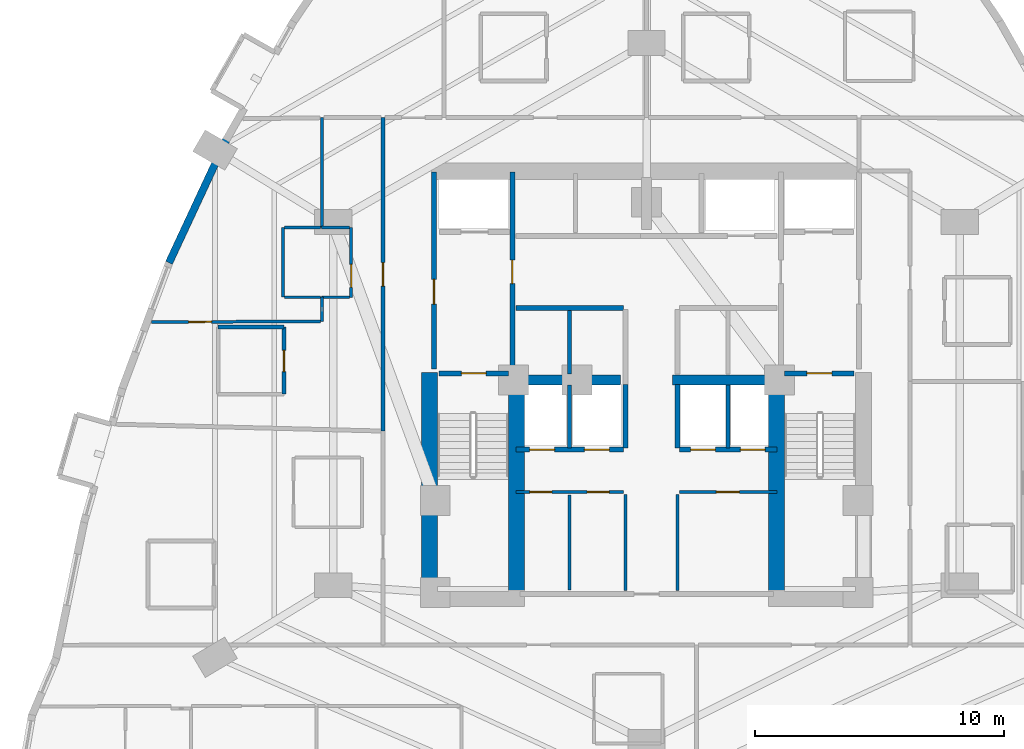
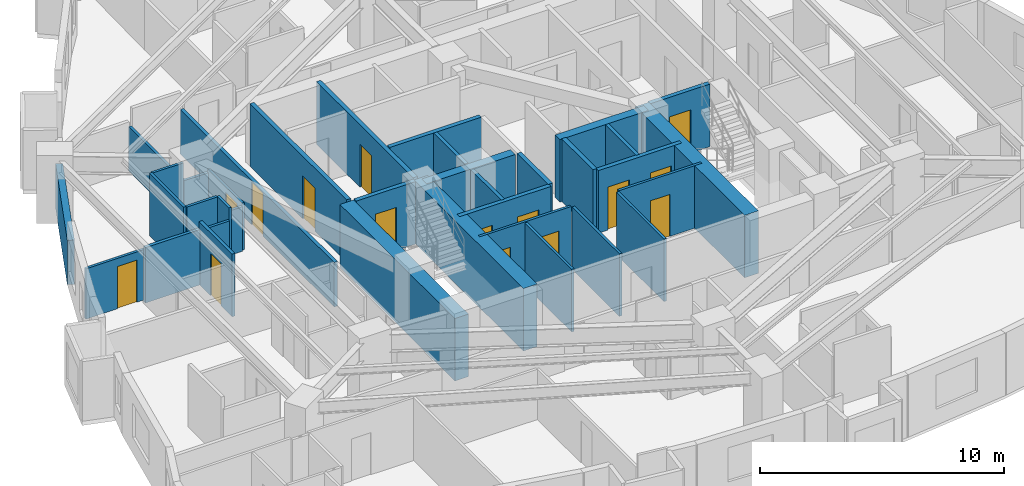
# One storey, part 10 of 15: 35 walls, 15 doors, 15 openings.
"""IFC4 building model written with IfcOpenShell, lengths in metres."""

from ifc_helpers import new_model, si_unit, direction, frame, frame_2d, origin, place, context, subcontext, project, spatial, rectangle, extrude, material, layer, layer_set, type_object, element, fill, save


model = new_model("IFC4")

# Units and contexts
model_context = context("Model", 3, precision=1e-05, world=origin(), true_north=direction((0.0, 1.0)))
body_context = subcontext(model_context, "Body", "Model", "MODEL_VIEW")
ifc_project = project(units=[si_unit("LENGTHUNIT", "METRE"), si_unit("AREAUNIT", "SQUARE_METRE"), si_unit("VOLUMEUNIT", "CUBIC_METRE"), si_unit("PLANEANGLEUNIT", "RADIAN"), si_unit("MASSUNIT", "GRAM", prefix="KILO")], contexts=[model_context])

# Site, building, storey
site_placement = place(None, origin())
site = spatial("IfcSite", under=ifc_project, at=site_placement, CompositionType="ELEMENT")
building_placement = place(site_placement, origin())
building = spatial("IfcBuilding", under=site, at=building_placement, Name="Miruveldt Soraemaru", CompositionType="ELEMENT")
storey_placement = place(building_placement, frame((0.0, 0.0, 36.0)))
storey = spatial("IfcBuildingStorey", under=building, at=storey_placement, Name="L09", CompositionType="ELEMENT", Elevation=36.0)

# Walls
ifc_material_1 = material(Name="Concrete C70/85 (70 MPa)", Category="concrete")
ifc_layer_1 = layer(ifc_material_1, 0.5, Name="Concrete C70/85 (70 MPa)", Category="concrete")
ifc_layer_set_1 = layer_set([ifc_layer_1], Name="Concrete C70/85 (70 MPa)")
wall_type_1 = type_object("IfcWallType", Name="WALL-BW-500", PredefinedType="SHEAR", material=ifc_layer_set_1)
for number, where, z_axis, x_axis, name in (
    (1, (38.75, 44.050048828125, 0.0), (0.0, 0.0, 1.0), (1.0, 0.0, 0.0), "L09 Core Buttress Shear Wall BW"),
    (2, (45.050048828125, 44.050048828125, 0.0), (0.0, 0.0, 1.0), (1.0, 0.0, 0.0), "L09 Core Buttress Shear Wall BE"),
):
    element("IfcWall", number, at=place(storey_placement, frame(where, z_axis=z_axis, x_axis=x_axis)), inside=storey, type_object=wall_type_1, Name=name, PredefinedType="SHEAR", context=body_context, shape_type="SweptSolid", body=[
        extrude(rectangle(XDim=4.199951171875, YDim=0.39990234375, at=frame_2d((2.10009765625, 0.0))), origin(), (0.0, 0.0, 1.0), 3.125),
    ])
ifc_material_2 = material(Name="Concrete C80/95 (80 MPa)", Category="concrete")
ifc_layer_2 = layer(ifc_material_2, 0.64990234375, Name="Concrete C80/95 (80 MPa)", Category="concrete")
ifc_layer_set_2 = layer_set([ifc_layer_2], Name="Concrete C80/95 (80 MPa)")
wall_type_2 = type_object("IfcWallType", Name="WALL-CW-650", PredefinedType="SHEAR", material=ifc_layer_set_2)
wall_1_placement = place(storey_placement, frame((35.27490234375, 34.949951171875, 0.0), z_axis=(0.0, 0.0, 1.0), x_axis=(0.0, 1.0, 0.0)))
element("IfcWall", 3, at=wall_1_placement, inside=storey, type_object=wall_type_2, Name="L09 Central Core Shear Wall W1", PredefinedType="SHEAR", context=body_context, shape_type="SweptSolid", body=[
    extrude(rectangle(XDim=9.400146484375, YDim=0.64990234375, at=frame_2d((4.7001953125, 0.0))), origin(), (0.0, 0.0, 1.0), 3.125),
])
for number, where, z_axis, x_axis, name in (
    (4, (38.77490234375, 35.39990234375, 0.0), (0.0, 0.0, 1.0), (0.0, 1.0, 0.0), "L09 Central Core Shear Wall SW-INT"),
    (5, (49.22509765625, 35.39990234375, 0.0), (0.0, 0.0, 1.0), (0.0, 1.0, 0.0), "L09 Central Core Shear Wall SE-INT"),
):
    element("IfcWall", number, at=place(storey_placement, frame(where, z_axis=z_axis, x_axis=x_axis)), inside=storey, type_object=wall_type_2, Name=name, PredefinedType="SHEAR", context=body_context, shape_type="SweptSolid", body=[
        extrude(rectangle(XDim=8.9501953125, YDim=0.64990234375, at=frame_2d((4.47509765625, 0.0))), origin(), (0.0, 0.0, 1.0), 3.125),
    ])
ifc_material_3 = material(Name="Precast concrete C45/55 (45 MPa)", Category="concrete")
ifc_layer_3 = layer(ifc_material_3, 0.300048828125, Name="Precast concrete C45/55 (45 MPa)", Category="concrete")
ifc_layer_set_3 = layer_set([ifc_layer_3], Name="Precast concrete C45/55 (45 MPa)")
wall_type_3 = type_object("IfcWallType", Name="WALL-EXT-PC300", PredefinedType="SOLIDWALL", material=ifc_layer_set_3)
wall_2_placement = place(storey_placement, frame((27.116455078125, 53.75390625, 0.0), z_axis=(0.0, 0.0, 1.0), x_axis=(-0.422309467153, -0.906451716284, 0.0)))
element("IfcWall", 6, at=wall_2_placement, inside=storey, type_object=wall_type_3, Name="L09 Precast Concrete Facade Wall 11", PredefinedType="SOLIDWALL", context=body_context, shape_type="SweptSolid", body=[
    extrude(rectangle(XDim=5.500244140625, YDim=0.300048828125, at=frame_2d((2.75, 0.0))), origin(), (0.0, 0.0, 1.0), 2.212890625),
])

# Wall, opening, door
ifc_material_4 = material(Name="Gypsum plasterboard lining", Category="gypsum")
ifc_layer_4 = layer(ifc_material_4, 0.1201171875, Name="Gypsum plasterboard lining", Category="gypsum")
ifc_layer_set_4 = layer_set([ifc_layer_4], Name="Gypsum plasterboard lining")
wall_type_4 = type_object("IfcWallType", Name="WALL-INT-P120", PredefinedType="PARTITIONING", material=ifc_layer_set_4)
wall_3_placement = place(storey_placement, frame((30.889892578125, 46.409912109375, 0.0), z_axis=(0.0, 0.0, 1.0), x_axis=(-0.999990269006, -0.004411563541, 0.0)))
wall_3 = element("IfcWall", 7, at=wall_3_placement, inside=storey, type_object=wall_type_4, Name="L09 Partition Wall 50", PredefinedType="PARTITIONING", context=body_context, shape_type="SweptSolid", body=[
    extrude(rectangle(XDim=6.806884765625, YDim=0.1201171875, at=frame_2d((3.4033203125, 0.0))), origin(), (0.0, 0.0, 1.0), 2.512939453125),
])
opening_1_placement = place(wall_3_placement, frame((4.384033203125, 0.0, 0.0)))
opening_1 = element("IfcOpeningElement", 8, at=opening_1_placement, cuts=wall_3, Name="Opening D3A", PredefinedType="OPENING", context=body_context, shape_type="SweptSolid", body=[
    extrude(rectangle(XDim=0.919921875, YDim=2.10009765625, at=frame_2d((0.4599609375, 1.050048828125))), frame((0.0, 0.070068359375, 0.0), z_axis=(0.0, -1.0, 0.0), x_axis=(1.0, 0.0, 0.0)), (0.0, 0.0, 1.0), 0.14013671875),
])
ifc_material_5 = material(Name="Anodised aluminium EN AW-6063 T6", Category="aluminium")
door_type_1 = type_object("IfcDoorType", Name="DOOR-INT-920", OperationType="NOTDEFINED", PredefinedType="DOOR", material=ifc_material_5)
door_1_placement = place(opening_1_placement, origin())
door_1 = element("IfcDoor", 9, at=door_1_placement, inside=storey, type_object=door_type_1, Name="L09 Unit 0904 BD1 Door", OperationType="SINGLE_SWING_LEFT", OverallHeight=2.10009765625, OverallWidth=0.919921875, PredefinedType="DOOR", context=body_context, shape_type="SweptSolid", body=[
    extrude(rectangle(XDim=0.919921875, YDim=2.10009765625, at=frame_2d((0.4599609375, 1.050048828125))), frame((0.0, 0.02490234375, 0.0), z_axis=(0.0, -1.0, 0.0), x_axis=(1.0, 0.0, 0.0)), (0.0, 0.0, 1.0), 0.050048828125),
])
fill(opening_1, door_1)

# Wall, openings, doors
wall_4_placement = place(storey_placement, frame((38.75, 39.550048828125, 0.0), z_axis=(0.0, 0.0, 1.0), x_axis=(1.0, 0.0, 0.0)))
wall_4 = element("IfcWall", 10, at=wall_4_placement, inside=storey, type_object=wall_type_4, Name="L09 Core Compartment Wall CSW-N", PredefinedType="PARTITIONING", context=body_context, shape_type="SweptSolid", body=[
    extrude(rectangle(XDim=4.330078125, YDim=0.1201171875, at=frame_2d((2.1650390625, 0.0))), origin(), (0.0, 0.0, 1.0), 3.125),
])
opening_2_placement = place(wall_4_placement, frame((0.56005859375, 0.0, 0.0)))
opening_2 = element("IfcOpeningElement", 11, at=opening_2_placement, cuts=wall_4, Name="Opening D4", PredefinedType="OPENING", context=body_context, shape_type="SweptSolid", body=[
    extrude(rectangle(XDim=0.8798828125, YDim=2.10009765625, at=frame_2d((0.43994140625, 1.050048828125))), frame((0.0, 0.070068359375, 0.0), z_axis=(0.0, -1.0, 0.0), x_axis=(1.0, 0.0, 0.0)), (0.0, 0.0, 1.0), 0.14013671875),
])
opening_3_placement = place(wall_4_placement, frame((2.860107421875, 0.0, 0.0)))
opening_3 = element("IfcOpeningElement", 12, at=opening_3_placement, cuts=wall_4, Name="Opening D4", PredefinedType="OPENING", context=body_context, shape_type="SweptSolid", body=[
    extrude(rectangle(XDim=0.8798828125, YDim=2.10009765625, at=frame_2d((0.43994140625, 1.050048828125))), frame((0.0, 0.070068359375, 0.0), z_axis=(0.0, -1.0, 0.0), x_axis=(1.0, 0.0, 0.0)), (0.0, 0.0, 1.0), 0.14013671875),
])
door_type_2 = type_object("IfcDoorType", Name="DOOR-INT-880", OperationType="NOTDEFINED", PredefinedType="DOOR", material=ifc_material_5)
door_2_placement = place(opening_2_placement, origin())
door_2 = element("IfcDoor", 13, at=door_2_placement, inside=storey, type_object=door_type_2, Name="L09 Fire Door", OperationType="SINGLE_SWING_LEFT", OverallHeight=2.10009765625, OverallWidth=0.8798828125, PredefinedType="DOOR", context=body_context, shape_type="SweptSolid", body=[
    extrude(rectangle(XDim=0.8798828125, YDim=2.10009765625, at=frame_2d((0.43994140625, 1.050048828125))), frame((0.0, 0.02490234375, 0.0), z_axis=(0.0, -1.0, 0.0), x_axis=(1.0, 0.0, 0.0)), (0.0, 0.0, 1.0), 0.050048828125),
])
fill(opening_2, door_2)
door_3_placement = place(opening_3_placement, origin())
door_3 = element("IfcDoor", 14, at=door_3_placement, inside=storey, type_object=door_type_2, Name="L09 Fire Door", OperationType="SINGLE_SWING_LEFT", OverallHeight=2.10009765625, OverallWidth=0.8798828125, PredefinedType="DOOR", context=body_context, shape_type="SweptSolid", body=[
    extrude(rectangle(XDim=0.8798828125, YDim=2.10009765625, at=frame_2d((0.43994140625, 1.050048828125))), frame((0.0, 0.02490234375, 0.0), z_axis=(0.0, -1.0, 0.0), x_axis=(1.0, 0.0, 0.0)), (0.0, 0.0, 1.0), 0.050048828125),
])
fill(opening_3, door_3)

# Wall, opening, door
wall_5_placement = place(storey_placement, frame((45.320068359375, 39.550048828125, 0.0), z_axis=(0.0, 0.0, 1.0), x_axis=(1.0, 0.0, 0.0)))
wall_5 = element("IfcWall", 15, at=wall_5_placement, inside=storey, type_object=wall_type_4, Name="L09 Core Compartment Wall CSE-N", PredefinedType="PARTITIONING", context=body_context, shape_type="SweptSolid", body=[
    extrude(rectangle(XDim=3.929931640625, YDim=0.1201171875, at=frame_2d((1.96484375, 0.0))), origin(), (0.0, 0.0, 1.0), 3.125),
])
opening_4_placement = place(wall_5_placement, frame((1.489990234375, 0.0, 0.0)))
opening_4 = element("IfcOpeningElement", 16, at=opening_4_placement, cuts=wall_5, Name="Opening D3A", PredefinedType="OPENING", context=body_context, shape_type="SweptSolid", body=[
    extrude(rectangle(XDim=0.919921875, YDim=2.10009765625, at=frame_2d((0.4599609375, 1.050048828125))), frame((0.0, 0.070068359375, 0.0), z_axis=(0.0, -1.0, 0.0), x_axis=(1.0, 0.0, 0.0)), (0.0, 0.0, 1.0), 0.14013671875),
])
door_4_placement = place(opening_4_placement, origin())
door_4 = element("IfcDoor", 17, at=door_4_placement, inside=storey, type_object=door_type_1, Name="L09 Fire Door", OperationType="SINGLE_SWING_LEFT", OverallHeight=2.10009765625, OverallWidth=0.919921875, PredefinedType="DOOR", context=body_context, shape_type="SweptSolid", body=[
    extrude(rectangle(XDim=0.919921875, YDim=2.10009765625, at=frame_2d((0.4599609375, 1.050048828125))), frame((0.0, 0.02490234375, 0.0), z_axis=(0.0, -1.0, 0.0), x_axis=(1.0, 0.0, 0.0)), (0.0, 0.0, 1.0), 0.050048828125),
])
fill(opening_4, door_4)

wall_6_placement = place(storey_placement, frame((32.1220703125, 47.3798828125, 0.0), z_axis=(0.0, 0.0, 1.0), x_axis=(0.0, 1.0, 0.0)))
wall_6 = element("IfcWall", 18, at=wall_6_placement, inside=storey, type_object=wall_type_4, Name="L09 Partition Wall 45", PredefinedType="PARTITIONING", context=body_context, shape_type="SweptSolid", body=[
    extrude(rectangle(XDim=2.800048828125, YDim=0.1201171875, at=frame_2d((1.39990234375, 0.0))), origin(), (0.0, 0.0, 1.0), 2.363037109375),
])
opening_5_placement = place(wall_6_placement, frame((0.39990234375, 0.0, 0.0)))
opening_5 = element("IfcOpeningElement", 19, at=opening_5_placement, cuts=wall_6, Name="Opening D3A", PredefinedType="OPENING", context=body_context, shape_type="SweptSolid", body=[
    extrude(rectangle(XDim=0.919921875, YDim=2.10009765625, at=frame_2d((0.4599609375, 1.050048828125))), frame((0.0, 0.070068359375, 0.0), z_axis=(0.0, -1.0, 0.0), x_axis=(1.0, 0.0, 0.0)), (0.0, 0.0, 1.0), 0.14013671875),
])
door_5_placement = place(opening_5_placement, origin())
door_5 = element("IfcDoor", 20, at=door_5_placement, inside=storey, type_object=door_type_1, Name="L09 Unit 0904 KIT Door", OperationType="SINGLE_SWING_RIGHT", OverallHeight=2.10009765625, OverallWidth=0.919921875, PredefinedType="DOOR", context=body_context, shape_type="SweptSolid", body=[
    extrude(rectangle(XDim=0.919921875, YDim=2.10009765625, at=frame_2d((0.4599609375, 1.050048828125))), frame((0.0, 0.02490234375, 0.0), z_axis=(0.0, -1.0, 0.0), x_axis=(1.0, 0.0, 0.0)), (0.0, 0.0, 1.0), 0.050048828125),
])
fill(opening_5, door_5)

# Walls
wall_7_placement = place(storey_placement, frame((30.949951171875, 54.60009765625, 0.0), z_axis=(0.0, 0.0, 1.0), x_axis=(0.0, -1.0, 0.0)))
element("IfcWall", 21, at=wall_7_placement, inside=storey, type_object=wall_type_4, Name="L09 Partition Wall 48", PredefinedType="PARTITIONING", context=body_context, shape_type="SweptSolid", body=[
    extrude(rectangle(XDim=4.420166015625, YDim=0.1201171875, at=frame_2d((2.2099609375, 0.0))), origin(), (0.0, 0.0, 1.0), 2.219970703125),
])
for number, where, z_axis, x_axis, name in (
    (22, (43.14990234375, 35.580078125, 0.0), (0.0, 0.0, 1.0), (0.0, 1.0, 0.0), "L09 Core Compartment Wall SP-WS"),
    (23, (45.25, 35.580078125, 0.0), (0.0, 0.0, 1.0), (0.0, 1.0, 0.0), "L09 Core Compartment Wall SP-ES"),
):
    element("IfcWall", number, at=place(storey_placement, frame(where, z_axis=z_axis, x_axis=x_axis)), inside=storey, type_object=wall_type_4, Name=name, PredefinedType="PARTITIONING", context=body_context, shape_type="SweptSolid", body=[
        extrude(rectangle(XDim=3.869873046875, YDim=0.1201171875, at=frame_2d((1.93505859375, 0.0))), origin(), (0.0, 0.0, 1.0), 3.125),
    ])
wall_8_placement = place(storey_placement, frame((40.89990234375, 35.60009765625, 0.0), z_axis=(0.0, 0.0, 1.0), x_axis=(0.0, 1.0, 0.0)))
element("IfcWall", 24, at=wall_8_placement, inside=storey, type_object=wall_type_4, Name="L09 Core Compartment Wall CW1-V", PredefinedType="PARTITIONING", context=body_context, shape_type="SweptSolid", body=[
    extrude(rectangle(XDim=3.81982421875, YDim=0.1201171875, at=frame_2d((1.909912109375, 0.0))), origin(), (0.0, 0.0, 1.0), 3.125),
])
wall_9_placement = place(storey_placement, frame((29.3720703125, 50.179931640625, 0.0), z_axis=(0.0, 0.0, 1.0), x_axis=(0.0, -1.0, 0.0)))
element("IfcWall", 25, at=wall_9_placement, inside=storey, type_object=wall_type_4, Name="L09 Partition Wall 53", PredefinedType="PARTITIONING", context=body_context, shape_type="SweptSolid", body=[
    extrude(rectangle(XDim=2.800048828125, YDim=0.1201171875, at=frame_2d((1.39990234375, 0.0))), origin(), (0.0, 0.0, 1.0), 3.125),
])
for number, where, z_axis, x_axis, name in (
    (26, (30.889892578125, 50.179931640625, 0.0), (0.0, 0.0, 1.0), (-1.0, 0.0, 0.0), "L09 Partition Wall 52"),
    (27, (29.431884765625, 47.3798828125, 0.0), (0.0, 0.0, 1.0), (1.0, 0.0, 0.0), "L09 Partition Wall 54"),
):
    element("IfcWall", number, at=place(storey_placement, frame(where, z_axis=z_axis, x_axis=x_axis)), inside=storey, type_object=wall_type_4, Name=name, PredefinedType="PARTITIONING", context=body_context, shape_type="SweptSolid", body=[
        extrude(rectangle(XDim=1.4580078125, YDim=0.1201171875, at=frame_2d((0.72900390625, 0.0))), origin(), (0.0, 0.0, 1.0), 3.125),
    ])
for number, where, z_axis, x_axis, name in (
    (28, (32.06201171875, 50.179931640625, 0.0), (0.0, 0.0, 1.0), (-1.0, 0.0, 0.0), "L09 Partition Wall 46"),
    (29, (30.919921875, 47.3798828125, 0.0), (0.0, 0.0, 1.0), (1.0, 0.0, 0.0), "L09 Partition Wall 47"),
):
    element("IfcWall", number, at=place(storey_placement, frame(where, z_axis=z_axis, x_axis=x_axis)), inside=storey, type_object=wall_type_4, Name=name, PredefinedType="PARTITIONING", context=body_context, shape_type="SweptSolid", body=[
        extrude(rectangle(XDim=1.14208984375, YDim=0.1201171875, at=frame_2d((0.571044921875, 0.0))), origin(), (0.0, 0.0, 1.0), 2.219970703125),
    ])
wall_10_placement = place(storey_placement, frame((30.949951171875, 47.3798828125, 0.0), z_axis=(0.0, 0.0, 1.0), x_axis=(0.0, -1.0, 0.0)))
element("IfcWall", 30, at=wall_10_placement, inside=storey, type_object=wall_type_4, Name="L09 Partition Wall 49", PredefinedType="PARTITIONING", context=body_context, shape_type="SweptSolid", body=[
    extrude(rectangle(XDim=0.969970703125, YDim=0.1201171875, at=frame_2d((0.48486328125, 0.0))), origin(), (0.0, 0.0, 1.0), 3.125),
])

# Wall, opening, door
ifc_layer_5 = layer(ifc_material_4, 0.14990234375, Name="Gypsum plasterboard lining", Category="gypsum")
ifc_layer_set_5 = layer_set([ifc_layer_5], Name="Gypsum plasterboard lining")
wall_type_5 = type_object("IfcWallType", Name="WALL-INT-PLUMB", PredefinedType="PLUMBINGWALL", material=ifc_layer_set_5)
wall_11_placement = place(storey_placement, frame((29.422119140625, 43.47998046875, 0.0), z_axis=(0.0, 0.0, 1.0), x_axis=(0.0, 1.0, 0.0)))
wall_11 = element("IfcWall", 31, at=wall_11_placement, inside=storey, type_object=wall_type_5, Name="L09 Partition Wall 41", PredefinedType="PLUMBINGWALL", context=body_context, shape_type="SweptSolid", body=[
    extrude(rectangle(XDim=2.699951171875, YDim=0.14990234375, at=frame_2d((1.35009765625, 0.0))), origin(), (0.0, 0.0, 1.0), 3.125),
])
opening_6_placement = place(wall_11_placement, frame((0.909912109375, 0.0, 0.0)))
opening_6 = element("IfcOpeningElement", 32, at=opening_6_placement, cuts=wall_11, Name="Opening FD3", PredefinedType="OPENING", context=body_context, shape_type="SweptSolid", body=[
    extrude(rectangle(XDim=0.85009765625, YDim=2.10009765625, at=frame_2d((0.425048828125, 1.050048828125))), frame((0.0, 0.0849609375, 0.0), z_axis=(0.0, -1.0, 0.0), x_axis=(1.0, 0.0, 0.0)), (0.0, 0.0, 1.0), 0.169921875),
])
door_type_3 = type_object("IfcDoorType", Name="DOOR-FD3-850", OperationType="NOTDEFINED", PredefinedType="DOOR", material=ifc_material_5)
door_6_placement = place(opening_6_placement, origin())
door_6 = element("IfcDoor", 33, at=door_6_placement, inside=storey, type_object=door_type_3, Name="L09 Unit 0904 BTH Door", OperationType="SINGLE_SWING_LEFT", OverallHeight=2.10009765625, OverallWidth=0.85009765625, PredefinedType="DOOR", context=body_context, shape_type="SweptSolid", body=[
    extrude(rectangle(XDim=0.85009765625, YDim=2.10009765625, at=frame_2d((0.425048828125, 1.050048828125))), frame((0.0, 0.02490234375, 0.0), z_axis=(0.0, -1.0, 0.0), x_axis=(1.0, 0.0, 0.0)), (0.0, 0.0, 1.0), 0.050048828125),
])
fill(opening_6, door_6)

# Wall
wall_12_placement = place(storey_placement, frame((29.422119140625, 46.179931640625, 0.0), z_axis=(0.0, 0.0, 1.0), x_axis=(-1.0, 0.0, 0.0)))
element("IfcWall", 34, at=wall_12_placement, inside=storey, type_object=wall_type_5, Name="L09 Partition Wall 42", PredefinedType="PLUMBINGWALL", context=body_context, shape_type="SweptSolid", body=[
    extrude(rectangle(XDim=2.650146484375, YDim=0.14990234375, at=frame_2d((1.3251953125, 0.0))), origin(), (0.0, 0.0, 1.0), 2.762939453125),
])

# Wall, opening, door
ifc_material_6 = material(Name="Concrete C40/50 (40 MPa)", Category="concrete")
ifc_layer_6 = layer(ifc_material_6, 0.159912109375, Name="Concrete C40/50 (40 MPa)", Category="concrete")
ifc_layer_set_6 = layer_set([ifc_layer_6], Name="Concrete C40/50 (40 MPa)")
wall_type_6 = type_object("IfcWallType", Name="WALL-INT-RC160", PredefinedType="SOLIDWALL", material=ifc_layer_set_6)
wall_13_placement = place(storey_placement, frame((33.39990234375, 54.60009765625, 0.0), z_axis=(0.0, 0.0, 1.0), x_axis=(0.0, -1.0, 0.0)))
wall_13 = element("IfcWall", 35, at=wall_13_placement, inside=storey, type_object=wall_type_6, Name="L09 Partition Wall 4", PredefinedType="SOLIDWALL", context=body_context, shape_type="SweptSolid", body=[
    extrude(rectangle(XDim=12.60009765625, YDim=0.159912109375, at=frame_2d((6.300048828125, 0.0))), origin(), (0.0, 0.0, 1.0), 2.219970703125),
])
opening_7_placement = place(wall_13_placement, frame((5.824951171875, 0.0, 0.0)))
opening_7 = element("IfcOpeningElement", 36, at=opening_7_placement, cuts=wall_13, Name="Opening FD2", PredefinedType="OPENING", context=body_context, shape_type="SweptSolid", body=[
    extrude(rectangle(XDim=0.949951171875, YDim=2.14990234375, at=frame_2d((0.47509765625, 1.074951171875))), frame((0.0, 0.08984375, 0.0), z_axis=(0.0, -1.0, 0.0), x_axis=(1.0, 0.0, 0.0)), (0.0, 0.0, 1.0), 0.179931640625),
])
door_type_4 = type_object("IfcDoorType", Name="DOOR-FD2-950", OperationType="NOTDEFINED", PredefinedType="DOOR", material=ifc_material_5)
door_7_placement = place(opening_7_placement, origin())
door_7 = element("IfcDoor", 37, at=door_7_placement, inside=storey, type_object=door_type_4, Name="L09 Unit 0904 Entrance Fire Door", OperationType="SINGLE_SWING_RIGHT", OverallHeight=2.14990234375, OverallWidth=0.949951171875, PredefinedType="DOOR", context=body_context, shape_type="SweptSolid", body=[
    extrude(rectangle(XDim=0.949951171875, YDim=2.14990234375, at=frame_2d((0.47509765625, 1.074951171875))), frame((0.0, 0.02490234375, 0.0), z_axis=(0.0, -1.0, 0.0), x_axis=(1.0, 0.0, 0.0)), (0.0, 0.0, 1.0), 0.050048828125),
])
fill(opening_7, door_7)

# Walls
wall_14_placement = place(storey_placement, frame((40.89990234375, 44.300048828125, 0.0), z_axis=(0.0, 0.0, 1.0), x_axis=(0.0, 1.0, 0.0)))
element("IfcWall", 38, at=wall_14_placement, inside=storey, type_object=wall_type_6, Name="L09 Core Compartment Wall PLM-DW", PredefinedType="SOLIDWALL", context=body_context, shape_type="SweptSolid", body=[
    extrude(rectangle(XDim=2.550048828125, YDim=0.159912109375, at=frame_2d((1.27490234375, 0.0))), origin(), (0.0, 0.0, 1.0), 3.125),
])
for number, where, z_axis, x_axis, name in (
    (39, (40.89990234375, 41.320068359375, 0.0), (0.0, 0.0, 1.0), (0.0, 1.0, 0.0), "L09 Core Compartment Wall PLL-DW"),
    (40, (47.280029296875, 41.320068359375, 0.0), (0.0, 0.0, 1.0), (0.0, 1.0, 0.0), "L09 Core Compartment Wall PLL-DE"),
):
    element("IfcWall", number, at=place(storey_placement, frame(where, z_axis=z_axis, x_axis=x_axis)), inside=storey, type_object=wall_type_6, Name=name, PredefinedType="SOLIDWALL", context=body_context, shape_type="SweptSolid", body=[
        extrude(rectangle(XDim=2.530029296875, YDim=0.159912109375, at=frame_2d((1.26513671875, 0.0))), origin(), (0.0, 0.0, 1.0), 3.125),
    ])

# Wall, opening, door
ifc_layer_7 = layer(ifc_material_6, 0.199951171875, Name="Concrete C40/50 (40 MPa)", Category="concrete")
ifc_layer_set_7 = layer_set([ifc_layer_7], Name="Concrete C40/50 (40 MPa)")
wall_type_7 = type_object("IfcWallType", Name="WALL-INT-RC200", PredefinedType="SOLIDWALL", material=ifc_layer_set_7)
wall_15_placement = place(storey_placement, frame((35.449951171875, 44.5, 0.0), z_axis=(0.0, 0.0, 1.0), x_axis=(0.0, 1.0, 0.0)))
wall_15 = element("IfcWall", 41, at=wall_15_placement, inside=storey, type_object=wall_type_7, Name="L09 Core Compartment Wall FFW-OUT", PredefinedType="SOLIDWALL", context=body_context, shape_type="SweptSolid", body=[
    extrude(rectangle(XDim=7.919921875, YDim=0.199951171875, at=frame_2d((3.9599609375, 0.0))), origin(), (0.0, 0.0, 1.0), 3.125),
])
opening_8_placement = place(wall_15_placement, frame((2.60009765625, 0.0, 0.0)))
opening_8 = element("IfcOpeningElement", 42, at=opening_8_placement, cuts=wall_15, Name="Opening FD1", PredefinedType="OPENING", context=body_context, shape_type="SweptSolid", body=[
    extrude(rectangle(XDim=1.0, YDim=2.14990234375, at=frame_2d((0.5, 1.074951171875))), frame((0.0, 0.10986328125, 0.0), z_axis=(0.0, -1.0, 0.0), x_axis=(1.0, 0.0, 0.0)), (0.0, 0.0, 1.0), 0.219970703125),
])
door_type_5 = type_object("IfcDoorType", Name="DOOR-FD1-1000", OperationType="NOTDEFINED", PredefinedType="DOOR", material=ifc_material_5)
door_8_placement = place(opening_8_placement, origin())
door_8 = element("IfcDoor", 43, at=door_8_placement, inside=storey, type_object=door_type_5, Name="L09 West Firefighting Lobby Exit Door", OperationType="SINGLE_SWING_LEFT", OverallHeight=2.14990234375, OverallWidth=1.0, PredefinedType="DOOR", context=body_context, shape_type="SweptSolid", body=[
    extrude(rectangle(XDim=1.0, YDim=2.14990234375, at=frame_2d((0.5, 1.074951171875))), frame((0.0, 0.02490234375, 0.0), z_axis=(0.0, -1.0, 0.0), x_axis=(1.0, 0.0, 0.0)), (0.0, 0.0, 1.0), 0.050048828125),
])
fill(opening_8, door_8)

wall_16_placement = place(storey_placement, frame((38.60009765625, 44.5, 0.0), z_axis=(0.0, 0.0, 1.0), x_axis=(0.0, 1.0, 0.0)))
wall_16 = element("IfcWall", 44, at=wall_16_placement, inside=storey, type_object=wall_type_7, Name="L09 Core Compartment Wall FFW-IN", PredefinedType="SOLIDWALL", context=body_context, shape_type="SweptSolid", body=[
    extrude(rectangle(XDim=7.919921875, YDim=0.199951171875, at=frame_2d((3.9599609375, 0.0))), origin(), (0.0, 0.0, 1.0), 3.125),
])
opening_9_placement = place(wall_16_placement, frame((3.425048828125, 0.0, 0.0)))
opening_9 = element("IfcOpeningElement", 45, at=opening_9_placement, cuts=wall_16, Name="Opening FD2", PredefinedType="OPENING", context=body_context, shape_type="SweptSolid", body=[
    extrude(rectangle(XDim=0.949951171875, YDim=2.14990234375, at=frame_2d((0.47509765625, 1.074951171875))), frame((0.0, 0.10986328125, 0.0), z_axis=(0.0, -1.0, 0.0), x_axis=(1.0, 0.0, 0.0)), (0.0, 0.0, 1.0), 0.219970703125),
])
door_9_placement = place(opening_9_placement, frame((0.949951171875, 0.0, 0.0), z_axis=(0.0, 0.0, 1.0), x_axis=(-1.0, 0.0, 0.0)))
door_9 = element("IfcDoor", 46, at=door_9_placement, inside=storey, type_object=door_type_4, Name="L09 Lift Lobby to West Fire Lobby Door", OperationType="SINGLE_SWING_RIGHT", OverallHeight=2.14990234375, OverallWidth=0.949951171875, PredefinedType="DOOR", context=body_context, shape_type="SweptSolid", body=[
    extrude(rectangle(XDim=0.949951171875, YDim=2.14990234375, at=frame_2d((0.47509765625, 1.074951171875))), frame((0.0, 0.02490234375, 0.0), z_axis=(0.0, -1.0, 0.0), x_axis=(1.0, 0.0, 0.0)), (0.0, 0.0, 1.0), 0.050048828125),
])
fill(opening_9, door_9)

# Wall, openings, doors
wall_17_placement = place(storey_placement, frame((38.75, 41.25, 0.0), z_axis=(0.0, 0.0, 1.0), x_axis=(1.0, 0.0, 0.0)))
wall_17 = element("IfcWall", 47, at=wall_17_placement, inside=storey, type_object=wall_type_7, Name="L09 Core Compartment Wall LBW-S", PredefinedType="SOLIDWALL", context=body_context, shape_type="SweptSolid", body=[
    extrude(rectangle(XDim=4.330078125, YDim=0.199951171875, at=frame_2d((2.1650390625, 0.0))), origin(), (0.0, 0.0, 1.0), 3.125),
])
opening_10_placement = place(wall_17_placement, frame((0.550048828125, 0.0, 0.0)))
opening_10 = element("IfcOpeningElement", 48, at=opening_10_placement, cuts=wall_17, Name="Opening LD1B", PredefinedType="OPENING", context=body_context, shape_type="SweptSolid", body=[
    extrude(rectangle(XDim=1.0, YDim=2.14990234375, at=frame_2d((0.5, 1.074951171875))), frame((0.0, 0.10986328125, 0.0), z_axis=(0.0, -1.0, 0.0), x_axis=(1.0, 0.0, 0.0)), (0.0, 0.0, 1.0), 0.219970703125),
])
opening_11_placement = place(wall_17_placement, frame((2.75, 0.0, 0.0)))
opening_11 = element("IfcOpeningElement", 49, at=opening_11_placement, cuts=wall_17, Name="Opening LD1B", PredefinedType="OPENING", context=body_context, shape_type="SweptSolid", body=[
    extrude(rectangle(XDim=1.0, YDim=2.14990234375, at=frame_2d((0.5, 1.074951171875))), frame((0.0, 0.10986328125, 0.0), z_axis=(0.0, -1.0, 0.0), x_axis=(1.0, 0.0, 0.0)), (0.0, 0.0, 1.0), 0.219970703125),
])
door_type_6 = type_object("IfcDoorType", Name="DOOR-LD1-1000", OperationType="SLIDING_TO_LEFT", PredefinedType="DOOR", material=ifc_material_5)
door_10_placement = place(opening_10_placement, frame((1.0, 0.0, 0.0), z_axis=(0.0, 0.0, 1.0), x_axis=(-1.0, 0.0, 0.0)))
door_10 = element("IfcDoor", 50, at=door_10_placement, inside=storey, type_object=door_type_6, Name="L09 PL-L1 Landing Door", OperationType="SLIDING_TO_LEFT", OverallHeight=2.14990234375, OverallWidth=1.0, PredefinedType="DOOR", context=body_context, shape_type="SweptSolid", body=[
    extrude(rectangle(XDim=1.0, YDim=2.14990234375, at=frame_2d((0.5, 1.074951171875))), frame((0.0, 0.02490234375, 0.0), z_axis=(0.0, -1.0, 0.0), x_axis=(1.0, 0.0, 0.0)), (0.0, 0.0, 1.0), 0.050048828125),
])
fill(opening_10, door_10)
door_11_placement = place(opening_11_placement, frame((1.0, 0.0, 0.0), z_axis=(0.0, 0.0, 1.0), x_axis=(-1.0, 0.0, 0.0)))
door_11 = element("IfcDoor", 51, at=door_11_placement, inside=storey, type_object=door_type_6, Name="L09 PL-L2 Landing Door", OperationType="SLIDING_TO_LEFT", OverallHeight=2.14990234375, OverallWidth=1.0, PredefinedType="DOOR", context=body_context, shape_type="SweptSolid", body=[
    extrude(rectangle(XDim=1.0, YDim=2.14990234375, at=frame_2d((0.5, 1.074951171875))), frame((0.0, 0.02490234375, 0.0), z_axis=(0.0, -1.0, 0.0), x_axis=(1.0, 0.0, 0.0)), (0.0, 0.0, 1.0), 0.050048828125),
])
fill(opening_11, door_11)

wall_18_placement = place(storey_placement, frame((45.320068359375, 41.25, 0.0), z_axis=(0.0, 0.0, 1.0), x_axis=(1.0, 0.0, 0.0)))
wall_18 = element("IfcWall", 52, at=wall_18_placement, inside=storey, type_object=wall_type_7, Name="L09 Core Compartment Wall LBE-S", PredefinedType="SOLIDWALL", context=body_context, shape_type="SweptSolid", body=[
    extrude(rectangle(XDim=3.929931640625, YDim=0.199951171875, at=frame_2d((1.96484375, 0.0))), origin(), (0.0, 0.0, 1.0), 3.125),
])
opening_12_placement = place(wall_18_placement, frame((0.449951171875, 0.0, 0.0)))
opening_12 = element("IfcOpeningElement", 53, at=opening_12_placement, cuts=wall_18, Name="Opening LD1B", PredefinedType="OPENING", context=body_context, shape_type="SweptSolid", body=[
    extrude(rectangle(XDim=1.0, YDim=2.14990234375, at=frame_2d((0.5, 1.074951171875))), frame((0.0, 0.10986328125, 0.0), z_axis=(0.0, -1.0, 0.0), x_axis=(1.0, 0.0, 0.0)), (0.0, 0.0, 1.0), 0.219970703125),
])
opening_13_placement = place(wall_18_placement, frame((2.449951171875, 0.0, 0.0)))
opening_13 = element("IfcOpeningElement", 54, at=opening_13_placement, cuts=wall_18, Name="Opening LD1B", PredefinedType="OPENING", context=body_context, shape_type="SweptSolid", body=[
    extrude(rectangle(XDim=1.0, YDim=2.14990234375, at=frame_2d((0.5, 1.074951171875))), frame((0.0, 0.10986328125, 0.0), z_axis=(0.0, -1.0, 0.0), x_axis=(1.0, 0.0, 0.0)), (0.0, 0.0, 1.0), 0.219970703125),
])
door_12_placement = place(opening_12_placement, frame((1.0, 0.0, 0.0), z_axis=(0.0, 0.0, 1.0), x_axis=(-1.0, 0.0, 0.0)))
door_12 = element("IfcDoor", 55, at=door_12_placement, inside=storey, type_object=door_type_6, Name="L09 PL-L3 Landing Door", OperationType="SLIDING_TO_LEFT", OverallHeight=2.14990234375, OverallWidth=1.0, PredefinedType="DOOR", context=body_context, shape_type="SweptSolid", body=[
    extrude(rectangle(XDim=1.0, YDim=2.14990234375, at=frame_2d((0.5, 1.074951171875))), frame((0.0, 0.02490234375, 0.0), z_axis=(0.0, -1.0, 0.0), x_axis=(1.0, 0.0, 0.0)), (0.0, 0.0, 1.0), 0.050048828125),
])
fill(opening_12, door_12)
door_13_placement = place(opening_13_placement, frame((1.0, 0.0, 0.0), z_axis=(0.0, 0.0, 1.0), x_axis=(-1.0, 0.0, 0.0)))
door_13 = element("IfcDoor", 56, at=door_13_placement, inside=storey, type_object=door_type_6, Name="L09 PL-L4 Landing Door", OperationType="SLIDING_TO_LEFT", OverallHeight=2.14990234375, OverallWidth=1.0, PredefinedType="DOOR", context=body_context, shape_type="SweptSolid", body=[
    extrude(rectangle(XDim=1.0, YDim=2.14990234375, at=frame_2d((0.5, 1.074951171875))), frame((0.0, 0.02490234375, 0.0), z_axis=(0.0, -1.0, 0.0), x_axis=(1.0, 0.0, 0.0)), (0.0, 0.0, 1.0), 0.050048828125),
])
fill(opening_13, door_13)

# Wall, opening, door
wall_19_placement = place(storey_placement, frame((35.64990234375, 44.320068359375, 0.0), z_axis=(0.0, 0.0, 1.0), x_axis=(1.0, 0.0, 0.0)))
wall_19 = element("IfcWall", 57, at=wall_19_placement, inside=storey, type_object=wall_type_7, Name="L09 Core Compartment Wall ST1-N", PredefinedType="SOLIDWALL", context=body_context, shape_type="SweptSolid", body=[
    extrude(rectangle(XDim=2.800048828125, YDim=0.199951171875, at=frame_2d((1.39990234375, 0.0))), origin(), (0.0, 0.0, 1.0), 3.125),
])
opening_14_placement = place(wall_19_placement, frame((0.89990234375, 0.0, 0.0)))
opening_14 = element("IfcOpeningElement", 58, at=opening_14_placement, cuts=wall_19, Name="Opening FD1", PredefinedType="OPENING", context=body_context, shape_type="SweptSolid", body=[
    extrude(rectangle(XDim=1.0, YDim=2.14990234375, at=frame_2d((0.5, 1.074951171875))), frame((0.0, 0.10986328125, 0.0), z_axis=(0.0, -1.0, 0.0), x_axis=(1.0, 0.0, 0.0)), (0.0, 0.0, 1.0), 0.219970703125),
])
door_14_placement = place(opening_14_placement, frame((1.0, 0.0, 0.0), z_axis=(0.0, 0.0, 1.0), x_axis=(-1.0, 0.0, 0.0)))
door_14 = element("IfcDoor", 59, at=door_14_placement, inside=storey, type_object=door_type_5, Name="L09 Stair ST-1 Fire Door", OperationType="SINGLE_SWING_LEFT", OverallHeight=2.14990234375, OverallWidth=1.0, PredefinedType="DOOR", context=body_context, shape_type="SweptSolid", body=[
    extrude(rectangle(XDim=1.0, YDim=2.14990234375, at=frame_2d((0.5, 1.074951171875))), frame((0.0, 0.02490234375, 0.0), z_axis=(0.0, -1.0, 0.0), x_axis=(1.0, 0.0, 0.0)), (0.0, 0.0, 1.0), 0.050048828125),
])
fill(opening_14, door_14)

wall_20_placement = place(storey_placement, frame((49.550048828125, 44.320068359375, 0.0), z_axis=(0.0, 0.0, 1.0), x_axis=(1.0, 0.0, 0.0)))
wall_20 = element("IfcWall", 60, at=wall_20_placement, inside=storey, type_object=wall_type_7, Name="L09 Core Compartment Wall ST2-N", PredefinedType="SOLIDWALL", context=body_context, shape_type="SweptSolid", body=[
    extrude(rectangle(XDim=2.800048828125, YDim=0.199951171875, at=frame_2d((1.39990234375, 0.0))), origin(), (0.0, 0.0, 1.0), 3.125),
])
opening_15_placement = place(wall_20_placement, frame((0.89990234375, 0.0, 0.0)))
opening_15 = element("IfcOpeningElement", 61, at=opening_15_placement, cuts=wall_20, Name="Opening FD1", PredefinedType="OPENING", context=body_context, shape_type="SweptSolid", body=[
    extrude(rectangle(XDim=1.0, YDim=2.14990234375, at=frame_2d((0.5, 1.074951171875))), frame((0.0, 0.10986328125, 0.0), z_axis=(0.0, -1.0, 0.0), x_axis=(1.0, 0.0, 0.0)), (0.0, 0.0, 1.0), 0.219970703125),
])
door_15_placement = place(opening_15_placement, frame((1.0, 0.0, 0.0), z_axis=(0.0, 0.0, 1.0), x_axis=(-1.0, 0.0, 0.0)))
door_15 = element("IfcDoor", 62, at=door_15_placement, inside=storey, type_object=door_type_5, Name="L09 Stair ST-2 Fire Door", OperationType="SINGLE_SWING_RIGHT", OverallHeight=2.14990234375, OverallWidth=1.0, PredefinedType="DOOR", context=body_context, shape_type="SweptSolid", body=[
    extrude(rectangle(XDim=1.0, YDim=2.14990234375, at=frame_2d((0.5, 1.074951171875))), frame((0.0, 0.02490234375, 0.0), z_axis=(0.0, -1.0, 0.0), x_axis=(1.0, 0.0, 0.0)), (0.0, 0.0, 1.0), 0.050048828125),
])
fill(opening_15, door_15)

# Walls
wall_21_placement = place(storey_placement, frame((38.75, 46.949951171875, 0.0), z_axis=(0.0, 0.0, 1.0), x_axis=(1.0, 0.0, 0.0)))
element("IfcWall", 63, at=wall_21_placement, inside=storey, type_object=wall_type_7, Name="L09 Core Compartment Wall MBW-N", PredefinedType="SOLIDWALL", context=body_context, shape_type="SweptSolid", body=[
    extrude(rectangle(XDim=4.330078125, YDim=0.199951171875, at=frame_2d((2.1650390625, 0.0))), origin(), (0.0, 0.0, 1.0), 3.125),
])
for number, where, z_axis, x_axis, name in (
    (64, (43.14990234375, 41.320068359375, 0.0), (0.0, 0.0, 1.0), (0.0, 1.0, 0.0), "L09 Core Compartment Wall SP-WC"),
    (65, (45.25, 41.320068359375, 0.0), (0.0, 0.0, 1.0), (0.0, 1.0, 0.0), "L09 Core Compartment Wall SP-EC"),
):
    element("IfcWall", number, at=place(storey_placement, frame(where, z_axis=z_axis, x_axis=x_axis)), inside=storey, type_object=wall_type_7, Name=name, PredefinedType="SOLIDWALL", context=body_context, shape_type="SweptSolid", body=[
        extrude(rectangle(XDim=2.559814453125, YDim=0.199951171875, at=frame_2d((1.27978515625, 0.0))), origin(), (0.0, 0.0, 1.0), 3.125),
    ])

save(model, "model.ifc")
